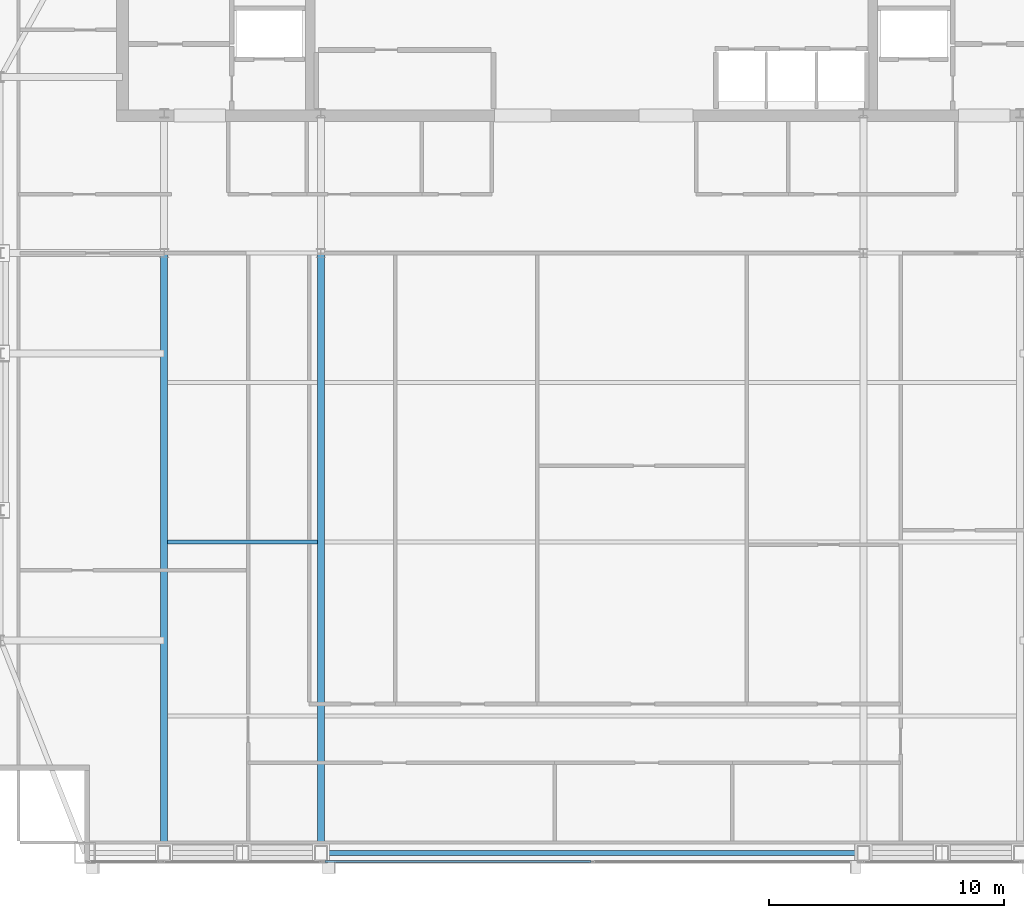
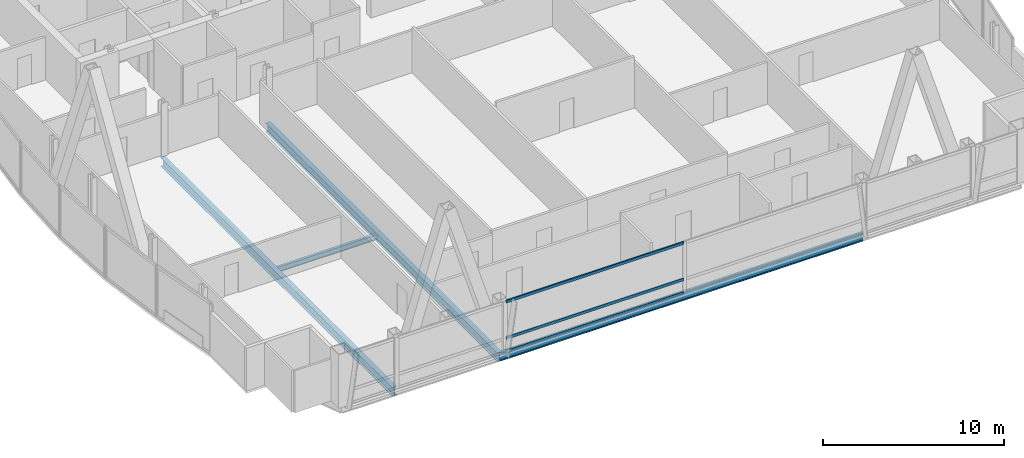
# One storey, part 6 of 29: 4 beams, 3 members, 1 element without a shape of its own.
"""IFC4 building model written with IfcOpenShell, lengths in metres."""

from ifc_helpers import new_model, si_unit, direction, frame, origin, origin_2d, place, context, subcontext, project, spatial, hollow_rectangle, i_section, extrude, material, material_profile, profile_set, type_object, element, aggregate, save


model = new_model("IFC4")

# Units and contexts
model_context = context("Model", 3, precision=1e-05, world=origin(), true_north=direction((0.0, 1.0)))
body_context = subcontext(model_context, "Body", "Model", "MODEL_VIEW")
ifc_project = project(units=[si_unit("LENGTHUNIT", "METRE"), si_unit("AREAUNIT", "SQUARE_METRE"), si_unit("VOLUMEUNIT", "CUBIC_METRE"), si_unit("PLANEANGLEUNIT", "RADIAN"), si_unit("MASSUNIT", "GRAM", prefix="KILO")], contexts=[model_context])

# Site, building, storey
site_placement = place(None, origin())
site = spatial("IfcSite", under=ifc_project, at=site_placement, CompositionType="ELEMENT")
building_placement = place(site_placement, origin())
building = spatial("IfcBuilding", under=site, at=building_placement, Name="Khoronbel Lancet Exchange", CompositionType="ELEMENT")
storey_placement = place(building_placement, frame((0.0, 0.0, 336.199951171875)))
storey = spatial("IfcBuildingStorey", under=building, at=storey_placement, Name="L87", CompositionType="ELEMENT", Elevation=336.199951171875)

# Beams
ifc_material_1 = material(Name="Steel S355", Category="steel")
ifc_material_profile_1 = material_profile(ifc_material_1, i_section(OverallWidth=0.300048828125, OverallDepth=0.60009765625, WebThickness=0.015380859375, FlangeThickness=0.030029296875, at=origin_2d()), Name="HEB 600")
ifc_profile_set_1 = profile_set([ifc_material_profile_1], Name="Steel S355")
beam_type_1 = type_object("IfcBeamType", Name="BM-BG5", PredefinedType="BEAM", material=ifc_profile_set_1)
for number, where, z_axis, x_axis, name in (
    (1, (18.22509765625, 10.14990234375, -0.4599609375), (0.0, 1.0, 0.0), (-1.0, 0.0, 0.0), "Level L87 south primary girder GS1"),
    (2, (24.89990234375, 10.14990234375, -0.4599609375), (0.0, 1.0, 0.0), (-1.0, 0.0, 0.0), "Level L87 south primary girder GS2"),
):
    element("IfcBeam", number, at=place(storey_placement, frame(where, z_axis=z_axis, x_axis=x_axis)), inside=storey, type_object=beam_type_1, Name=name, PredefinedType="BEAM", context=body_context, shape_type="SweptSolid", body=[
        extrude(i_section(OverallWidth=0.300048828125, OverallDepth=0.60009765625, WebThickness=0.015380859375, FlangeThickness=0.030029296875, at=origin_2d()), origin(), (0.0, 0.0, 1.0), 25.550048828125),
    ])
ifc_material_profile_2 = material_profile(ifc_material_1, i_section(OverallWidth=0.169921875, OverallDepth=0.360107421875, WebThickness=0.008056640625, FlangeThickness=0.0126953125, at=origin_2d()), Name="IPE 360")
ifc_profile_set_2 = profile_set([ifc_material_profile_2], Name="Steel S355")
beam_type_2 = type_object("IfcBeamType", Name="BM-BJ6", PredefinedType="JOIST", material=ifc_profile_set_2)
beam_1_placement = place(storey_placement, frame((18.375, 23.39990234375, -0.33984375), z_axis=(1.0, 0.0, 0.0), x_axis=(0.0, 1.0, 0.0)))
element("IfcBeam", 3, at=beam_1_placement, inside=storey, type_object=beam_type_2, Name="Level L87 secondary composite joist J04", PredefinedType="JOIST", context=body_context, shape_type="SweptSolid", body=[
    extrude(i_section(OverallWidth=0.169921875, OverallDepth=0.360107421875, WebThickness=0.008056640625, FlangeThickness=0.0126953125, at=origin_2d()), origin(), (0.0, 0.0, 1.0), 6.375),
])
ifc_material_profile_3 = material_profile(ifc_material_1, i_section(OverallWidth=0.2099609375, OverallDepth=0.550048828125, WebThickness=0.010986328125, FlangeThickness=0.01708984375, at=origin_2d()), Name="IPE 550")
ifc_profile_set_3 = profile_set([ifc_material_profile_3], Name="Steel S355")
beam_type_3 = type_object("IfcBeamType", Name="BM-BSP3", PredefinedType="SPANDREL", material=ifc_profile_set_3)
beam_2_placement = place(storey_placement, frame((24.89990234375, 10.14990234375, -0.43505859375), z_axis=(1.0, 0.0, 0.0), x_axis=(0.0, 1.0, 0.0)))
element("IfcBeam", 4, at=beam_2_placement, inside=storey, type_object=beam_type_3, Name="Level L87 perimeter spandrel beam SP04", PredefinedType="SPANDREL", context=body_context, shape_type="SweptSolid", body=[
    extrude(i_section(OverallWidth=0.2099609375, OverallDepth=0.550048828125, WebThickness=0.010986328125, FlangeThickness=0.01708984375, at=origin_2d()), origin(), (0.0, 0.0, 1.0), 23.10009765625),
])

# Curtain wall, members
ifc_material_2 = material(Name="Low-E Solar Control Insulating Glass", Category="glass")
curtain_wall_type = type_object("IfcCurtainWallType", Name="CW-3", PredefinedType="NOTDEFINED", material=ifc_material_2)
curtain_wall_placement = place(storey_placement, origin())
curtain_wall = element("IfcCurtainWall", 5, at=curtain_wall_placement, inside=storey, type_object=curtain_wall_type, Name="Unitised curtain wall CW-L87-SCV", PredefinedType="NOTDEFINED")
ifc_material_3 = material(Name="Bronze-Anodised Aluminium 6063-T6", Category="aluminium")
ifc_material_profile_4 = material_profile(ifc_material_3, hollow_rectangle(XDim=0.0849609375, YDim=0.179931640625, WallThickness=0.0048828125, at=origin_2d()), Name="ALU TRANSOM 85x180")
ifc_profile_set_4 = profile_set([ifc_material_profile_4], Name="Bronze-Anodised Aluminium 6063-T6")
member_type = type_object("IfcMemberType", Name="MEM-CWT1", PredefinedType="USERDEFINED", material=ifc_profile_set_4)
member_1_placement = place(storey_placement, frame((25.0849609375, 9.7900390625, 0.04248046875), z_axis=(1.0, 0.0, 0.0), x_axis=(0.0, 1.0, 0.0)))
member_1 = element("IfcMember", 6, at=member_1_placement, type_object=member_type, Name="CW3 transom 1.1", ObjectType="TRANSOM", PredefinedType="USERDEFINED", context=body_context, shape_type="SweptSolid", body=[
    extrude(hollow_rectangle(XDim=0.0849609375, YDim=0.179931640625, WallThickness=0.0048828125, at=origin_2d()), origin(), (0.0, 0.0, 1.0), 11.322509765625),
])
member_2_placement = place(storey_placement, frame((25.0849609375, 9.7900390625, 0.949951171875), z_axis=(1.0, 0.0, 0.0), x_axis=(0.0, 1.0, 0.0)))
member_2 = element("IfcMember", 7, at=member_2_placement, type_object=member_type, Name="CW3 transom 1.2", ObjectType="TRANSOM", PredefinedType="USERDEFINED", context=body_context, shape_type="SweptSolid", body=[
    extrude(hollow_rectangle(XDim=0.0849609375, YDim=0.179931640625, WallThickness=0.0048828125, at=origin_2d()), origin(), (0.0, 0.0, 1.0), 11.322509765625),
])
member_3_placement = place(storey_placement, frame((25.0849609375, 9.7900390625, 3.3974609375), z_axis=(1.0, 0.0, 0.0), x_axis=(0.0, 1.0, 0.0)))
member_3 = element("IfcMember", 8, at=member_3_placement, type_object=member_type, Name="CW3 transom 1.3", ObjectType="TRANSOM", PredefinedType="USERDEFINED", context=body_context, shape_type="SweptSolid", body=[
    extrude(hollow_rectangle(XDim=0.0849609375, YDim=0.179931640625, WallThickness=0.0048828125, at=origin_2d()), origin(), (0.0, 0.0, 1.0), 11.322509765625),
])
aggregate(curtain_wall, [member_1, member_2, member_3])

save(model, "model.ifc")
